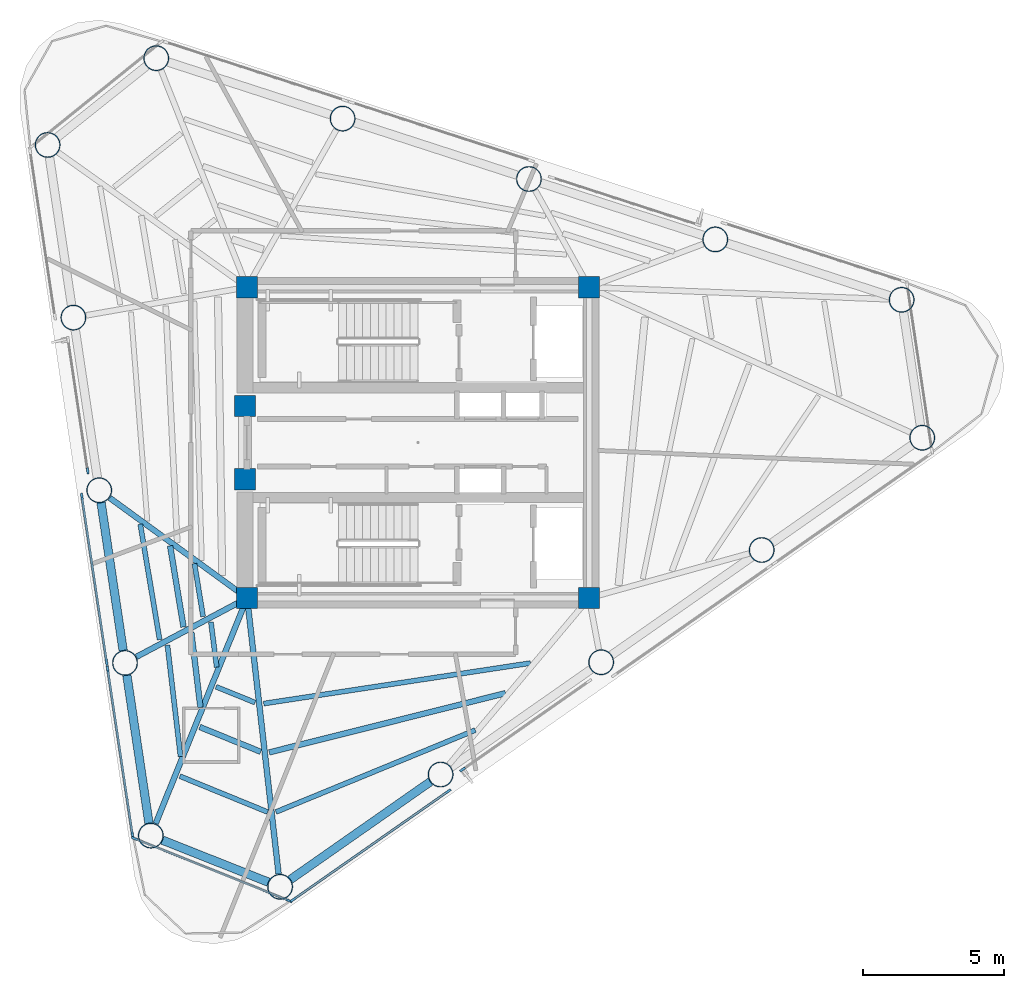
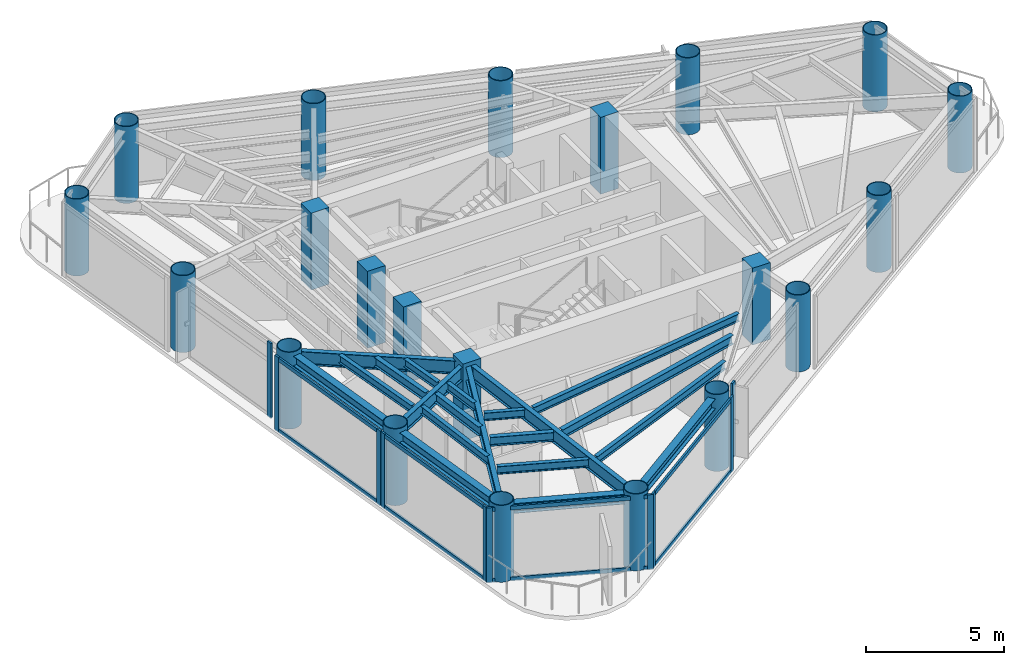
# One storey, part 1 of 9: 21 columns, 20 beams, 18 members, 6 elements without a shape of their own.
"""IFC4 building model written with IfcOpenShell, lengths in metres."""

from ifc_helpers import new_model, si_unit, direction, frame, origin, origin_2d, place, context, subcontext, project, spatial, rectangle, hollow_circle, i_section, extrude, source, transform, mapped, material, layer, layer_set, material_profile, profile_set, type_object, element, aggregate, save


model = new_model("IFC4")

# Units and contexts
model_context = context("Model", 3, precision=1e-05, world=origin(), true_north=direction((0.0, 1.0)))
body_context = subcontext(model_context, "Body", "Model", "MODEL_VIEW")
ifc_project = project(units=[si_unit("LENGTHUNIT", "METRE"), si_unit("AREAUNIT", "SQUARE_METRE"), si_unit("VOLUMEUNIT", "CUBIC_METRE"), si_unit("PLANEANGLEUNIT", "RADIAN"), si_unit("MASSUNIT", "GRAM", prefix="KILO")], contexts=[model_context])

# Site, building, storey
site_placement = place(None, origin())
site = spatial("IfcSite", under=ifc_project, at=site_placement, CompositionType="ELEMENT")
building_placement = place(site_placement, origin())
building = spatial("IfcBuilding", under=site, at=building_placement, Name="Yunling Apex Tower", CompositionType="ELEMENT")
storey_placement = place(building_placement, frame((0.0, 0.0, 274.550048828125)))
storey = spatial("IfcBuildingStorey", under=building, at=storey_placement, Name="L67", CompositionType="ELEMENT", Elevation=274.550048828125)

# Columns
ifc_material_1 = material(Name="Concrete C50", Category="concrete")
ifc_material_profile_1 = material_profile(ifc_material_1, rectangle(XDim=0.75, YDim=0.75, at=origin_2d()))
ifc_profile_set_1 = profile_set([ifc_material_profile_1], Name="Concrete C50")
column_type_1 = type_object("IfcColumnType", Name="PC-SRC-4", PredefinedType="COLUMN", material=ifc_profile_set_1)
shared_shape_1 = source(origin(), body_context, "Body", "SweptSolid", [
    extrude(rectangle(XDim=0.75, YDim=0.75, at=origin_2d()), origin(), (0.0, 0.0, 1.0), 3.39990234375),
])
for number, where, z_axis, x_axis, name in (
    (1, (-6.050048828125, -5.5, 0.0), (0.0, 0.0, 1.0), (1.0, 0.0, 0.0), "L67 Core Spine Column CC-SW"),
    (2, (6.050048828125, -5.5, 0.0), (0.0, 0.0, 1.0), (1.0, 0.0, 0.0), "L67 Core Spine Column CC-SE"),
    (3, (6.050048828125, 5.5, 0.0), (0.0, 0.0, 1.0), (1.0, 0.0, 0.0), "L67 Core Spine Column CC-NE"),
    (4, (-6.050048828125, 5.5, 0.0), (0.0, 0.0, 1.0), (1.0, 0.0, 0.0), "L67 Core Spine Column CC-NW"),
    (5, (-6.125, -1.300048828125, 0.0), (0.0, 0.0, 1.0), (1.0, 0.0, 0.0), "L67 Core West Portal Jamb Column S"),
    (6, (-6.125, 1.300048828125, 0.0), (0.0, 0.0, 1.0), (1.0, 0.0, 0.0), "L67 Core West Portal Jamb Column N"),
):
    element("IfcColumn", number, at=place(storey_placement, frame(where, z_axis=z_axis, x_axis=x_axis)), inside=storey, type_object=column_type_1, Name=name, PredefinedType="COLUMN", context=body_context, shape_type="MappedRepresentation", body=[
        mapped(shared_shape_1, transform((0.0, 0.0, 0.0), scale=1.0)),
    ])
ifc_material_2 = material(Name="Steel Q355B", Category="steel")
ifc_material_profile_2 = material_profile(ifc_material_2, hollow_circle(Radius=0.449951171875, WallThickness=0.031982421875, at=origin_2d()))
ifc_profile_set_2 = profile_set([ifc_material_profile_2], Name="Steel Q355B")
column_type_2 = type_object("IfcColumnType", Name="MC-CFST-6", PredefinedType="COLUMN", material=ifc_profile_set_2)
shared_shape_2 = source(origin(), body_context, "Body", "SweptSolid", [
    extrude(hollow_circle(Radius=0.449951171875, WallThickness=0.031982421875, at=origin_2d()), origin(), (0.0, 0.0, 1.0), 3.39990234375),
])
for number, where, z_axis, x_axis, name in (
    (7, (-4.8837890625, -15.716796875, 0.0), (0.0, 0.0, 1.0), (1.0, 0.0, 0.0), "L67 Perimeter CFST Mega-Column P01"),
    (8, (0.797119140625, -11.744873046875, 0.0), (0.0, 0.0, 1.0), (1.0, 0.0, 0.0), "L67 Perimeter CFST Mega-Column P02"),
    (9, (6.47802734375, -7.77294921875, 0.0), (0.0, 0.0, 1.0), (1.0, 0.0, 0.0), "L67 Perimeter CFST Mega-Column P03"),
    (10, (12.15869140625, -3.801025390625, 0.0), (0.0, 0.0, 1.0), (1.0, 0.0, 0.0), "L67 Perimeter CFST Mega-Column P04"),
    (11, (17.839599609375, 0.1708984375, 0.0), (0.0, 0.0, 1.0), (1.0, 0.0, 0.0), "L67 Perimeter CFST Mega-Column P05"),
    (12, (17.110107421875, 5.052490234375, 0.0), (0.0, 0.0, 1.0), (1.0, 0.0, 0.0), "L67 Perimeter CFST Mega-Column P06"),
    (13, (10.51611328125, 7.18994140625, 0.0), (0.0, 0.0, 1.0), (1.0, 0.0, 0.0), "L67 Perimeter CFST Mega-Column P07"),
    (14, (3.92236328125, 9.327392578125, 0.0), (0.0, 0.0, 1.0), (1.0, 0.0, 0.0), "L67 Perimeter CFST Mega-Column P08"),
    (15, (-2.671630859375, 11.46484375, 0.0), (0.0, 0.0, 1.0), (1.0, 0.0, 0.0), "L67 Perimeter CFST Mega-Column P09"),
    (16, (-9.265625, 13.602294921875, 0.0), (0.0, 0.0, 1.0), (1.0, 0.0, 0.0), "L67 Perimeter CFST Mega-Column P10"),
    (17, (-13.10986328125, 10.532470703125, 0.0), (0.0, 0.0, 1.0), (1.0, 0.0, 0.0), "L67 Perimeter CFST Mega-Column P11"),
    (18, (-12.19677734375, 4.423095703125, 0.0), (0.0, 0.0, 1.0), (1.0, 0.0, 0.0), "L67 Perimeter CFST Mega-Column P12"),
    (19, (-11.28369140625, -1.686279296875, 0.0), (0.0, 0.0, 1.0), (1.0, 0.0, 0.0), "L67 Perimeter CFST Mega-Column P13"),
    (20, (-10.37060546875, -7.7958984375, 0.0), (0.0, 0.0, 1.0), (1.0, 0.0, 0.0), "L67 Perimeter CFST Mega-Column P14"),
    (21, (-9.45751953125, -13.9052734375, 0.0), (0.0, 0.0, 1.0), (1.0, 0.0, 0.0), "L67 Perimeter CFST Mega-Column P15"),
):
    element("IfcColumn", number, at=place(storey_placement, frame(where, z_axis=z_axis, x_axis=x_axis)), inside=storey, type_object=column_type_2, Name=name, PredefinedType="COLUMN", context=body_context, shape_type="MappedRepresentation", body=[
        mapped(shared_shape_2, transform((0.0, 0.0, 0.0), scale=1.0)),
    ])

# Beams
ifc_material_profile_3 = material_profile(ifc_material_2, i_section(OverallWidth=0.300048828125, OverallDepth=0.43994140625, WebThickness=0.010986328125, FlangeThickness=0.01806640625, FilletRadius=0.02197265625, at=origin_2d()))
ifc_profile_set_3 = profile_set([ifc_material_profile_3], Name="Steel Q355B")
beam_type_1 = type_object("IfcBeamType", Name="BP-SPN-3", PredefinedType="SPANDREL", material=ifc_profile_set_3)
shared_shape_3 = source(origin(), body_context, "Body", "SweptSolid", [
    extrude(i_section(OverallWidth=0.300048828125, OverallDepth=0.43994140625, WebThickness=0.010986328125, FlangeThickness=0.01806640625, FilletRadius=0.02197265625, at=origin_2d()), origin(), (0.0, 0.0, 1.0), 6.043701171875),
])
beam_1_placement = place(storey_placement, frame((-4.52001953125, -15.46240234375, 3.0), z_axis=(0.819546828705, 0.5730122124, 0.0), x_axis=(-0.5730122124, 0.819546828705, 0.0)))
element("IfcBeam", 22, at=beam_1_placement, inside=storey, type_object=beam_type_1, Name="L67 Perimeter Spandrel Beam 1", PredefinedType="SPANDREL", context=body_context, shape_type="MappedRepresentation", body=[
    mapped(shared_shape_3, transform((0.0, 0.0, 0.0), scale=1.0)),
])
shared_shape_4 = source(origin(), body_context, "Body", "SweptSolid", [
    extrude(i_section(OverallWidth=0.300048828125, OverallDepth=0.43994140625, WebThickness=0.010986328125, FlangeThickness=0.01806640625, FilletRadius=0.02197265625, at=origin_2d()), origin(), (0.0, 0.0, 1.0), 5.289306640625),
])
for number, where, z_axis, x_axis, name in (
    (23, (-11.218017578125, -2.12548828125, 3.0), (0.147796471114, -0.989017797174, 0.0), (0.989017797174, 0.147796471114, 0.0), "L67 Perimeter Spandrel Beam 13"),
    (24, (-10.304931640625, -8.23486328125, 3.0), (0.147796471114, -0.989017797174, 0.0), (0.989017797174, 0.147796471114, 0.0), "L67 Perimeter Spandrel Beam 14"),
):
    element("IfcBeam", number, at=place(storey_placement, frame(where, z_axis=z_axis, x_axis=x_axis)), inside=storey, type_object=beam_type_1, Name=name, PredefinedType="SPANDREL", context=body_context, shape_type="MappedRepresentation", body=[
        mapped(shared_shape_4, transform((0.0, 0.0, 0.0), scale=1.0)),
    ])
shared_shape_5 = source(origin(), body_context, "Body", "SweptSolid", [
    extrude(i_section(OverallWidth=0.300048828125, OverallDepth=0.43994140625, WebThickness=0.010986328125, FlangeThickness=0.01806640625, FilletRadius=0.02197265625, at=origin_2d()), origin(), (0.0, 0.0, 1.0), 4.03173828125),
])
beam_2_placement = place(storey_placement, frame((-9.044921875, -14.068603515625, 3.0), z_axis=(0.92970771396, -0.368298203368, 0.0), x_axis=(0.368298203368, 0.92970771396, 0.0)))
element("IfcBeam", 25, at=beam_2_placement, inside=storey, type_object=beam_type_1, Name="L67 Perimeter Spandrel Beam 15", PredefinedType="SPANDREL", context=body_context, shape_type="MappedRepresentation", body=[
    mapped(shared_shape_5, transform((0.0, 0.0, 0.0), scale=1.0)),
])
ifc_material_profile_4 = material_profile(ifc_material_2, i_section(OverallWidth=0.199951171875, OverallDepth=0.60009765625, WebThickness=0.010986328125, FlangeThickness=0.01708984375, FilletRadius=0.02197265625, at=origin_2d()))
ifc_profile_set_4 = profile_set([ifc_material_profile_4], Name="Steel Q355B")
beam_type_2 = type_object("IfcBeamType", Name="BG-PRI-5", PredefinedType="USERDEFINED", material=ifc_profile_set_4)
shared_shape_6 = source(origin(), body_context, "Body", "SweptSolid", [
    extrude(i_section(OverallWidth=0.199951171875, OverallDepth=0.60009765625, WebThickness=0.010986328125, FlangeThickness=0.01708984375, FilletRadius=0.02197265625, at=origin_2d()), origin(), (0.0, 0.0, 1.0), 9.745361328125),
])
beam_3_placement = place(storey_placement, frame((-4.935791015625, -15.261962890625, 2.919921875), z_axis=(-0.11341163891, 0.993548086486, 0.0), x_axis=(-0.993548086486, -0.11341163891, 0.0)))
element("IfcBeam", 26, at=beam_3_placement, inside=storey, type_object=beam_type_2, Name="L67 Radial Primary Girder R01", ObjectType="GIRDER", PredefinedType="USERDEFINED", context=body_context, shape_type="MappedRepresentation", body=[
    mapped(shared_shape_6, transform((0.0, 0.0, 0.0), scale=1.0)),
])
shared_shape_7 = source(origin(), body_context, "Body", "SweptSolid", [
    extrude(i_section(OverallWidth=0.199951171875, OverallDepth=0.60009765625, WebThickness=0.010986328125, FlangeThickness=0.01708984375, FilletRadius=0.02197265625, at=origin_2d()), origin(), (0.0, 0.0, 1.0), 5.937744140625),
])
beam_4_placement = place(storey_placement, frame((-10.91357421875, -1.9560546875, 2.919921875), z_axis=(0.808193442209, -0.588917107894, 0.0), x_axis=(0.588917107894, 0.808193442209, 0.0)))
element("IfcBeam", 27, at=beam_4_placement, inside=storey, type_object=beam_type_2, Name="L67 Radial Primary Girder R13", ObjectType="GIRDER", PredefinedType="USERDEFINED", context=body_context, shape_type="MappedRepresentation", body=[
    mapped(shared_shape_7, transform((0.0, 0.0, 0.0), scale=1.0)),
])
shared_shape_8 = source(origin(), body_context, "Body", "SweptSolid", [
    extrude(i_section(OverallWidth=0.199951171875, OverallDepth=0.60009765625, WebThickness=0.010986328125, FlangeThickness=0.01708984375, FilletRadius=0.02197265625, at=origin_2d()), origin(), (0.0, 0.0, 1.0), 4.354736328125),
])
beam_5_placement = place(storey_placement, frame((-9.96630859375, -7.580810546875, 2.919921875), z_axis=(0.883098298021, 0.469188017784, 0.0), x_axis=(-0.469188017784, 0.883098298021, 0.0)))
element("IfcBeam", 28, at=beam_5_placement, inside=storey, type_object=beam_type_2, Name="L67 Radial Primary Girder R14", ObjectType="GIRDER", PredefinedType="USERDEFINED", context=body_context, shape_type="MappedRepresentation", body=[
    mapped(shared_shape_8, transform((0.0, 0.0, 0.0), scale=1.0)),
])
shared_shape_9 = source(origin(), body_context, "Body", "SweptSolid", [
    extrude(i_section(OverallWidth=0.199951171875, OverallDepth=0.60009765625, WebThickness=0.010986328125, FlangeThickness=0.01708984375, FilletRadius=0.02197265625, at=origin_2d()), origin(), (0.0, 0.0, 1.0), 8.531494140625),
])
beam_6_placement = place(storey_placement, frame((-9.285400390625, -13.480712890625, 2.919921875), z_axis=(0.375703780252, 0.926739806798, 0.0), x_axis=(-0.926739806798, 0.375703780252, 0.0)))
element("IfcBeam", 29, at=beam_6_placement, inside=storey, type_object=beam_type_2, Name="L67 Radial Primary Girder R15", ObjectType="GIRDER", PredefinedType="USERDEFINED", context=body_context, shape_type="MappedRepresentation", body=[
    mapped(shared_shape_9, transform((0.0, 0.0, 0.0), scale=1.0)),
])
ifc_material_profile_5 = material_profile(ifc_material_2, i_section(OverallWidth=0.199951171875, OverallDepth=0.39990234375, WebThickness=0.008056640625, FlangeThickness=0.012939453125, FilletRadius=0.01611328125, at=origin_2d()))
ifc_profile_set_5 = profile_set([ifc_material_profile_5], Name="Steel Q355B")
beam_type_3 = type_object("IfcBeamType", Name="BS-SEC-4", PredefinedType="BEAM", material=ifc_profile_set_5)
shared_shape_10 = source(origin(), body_context, "Body", "SweptSolid", [
    extrude(i_section(OverallWidth=0.199951171875, OverallDepth=0.39990234375, WebThickness=0.008056640625, FlangeThickness=0.012939453125, FilletRadius=0.01611328125, at=origin_2d()), origin(), (0.0, 0.0, 1.0), 8.62109375),
])
beam_7_placement = place(storey_placement, frame((-5.266845703125, -10.962646484375, 3.02001953125), z_axis=(0.96999740229, 0.243115280374, 0.0), x_axis=(-0.243115280374, 0.96999740229, 0.0)))
element("IfcBeam", 30, at=beam_7_placement, inside=storey, type_object=beam_type_3, Name="L67 Composite Floor Beam BS-1", PredefinedType="BEAM", context=body_context, shape_type="MappedRepresentation", body=[
    mapped(shared_shape_10, transform((0.0, 0.0, 0.0), scale=1.0)),
])
ifc_material_profile_6 = material_profile(ifc_material_2, i_section(OverallWidth=0.175048828125, OverallDepth=0.35009765625, WebThickness=0.007080078125, FlangeThickness=0.010986328125, FilletRadius=0.013916015625, at=origin_2d()))
ifc_profile_set_6 = profile_set([ifc_material_profile_6], Name="Steel Q355B")
beam_type_4 = type_object("IfcBeamType", Name="BJ-JST-1", PredefinedType="JOIST", material=ifc_profile_set_6)
shared_shape_11 = source(origin(), body_context, "Body", "SweptSolid", [
    extrude(i_section(OverallWidth=0.175048828125, OverallDepth=0.35009765625, WebThickness=0.007080078125, FlangeThickness=0.010986328125, FilletRadius=0.013916015625, at=origin_2d()), origin(), (0.0, 0.0, 1.0), 7.626953125),
])
beam_8_placement = place(storey_placement, frame((-5.031005859375, -13.071044921875, 3.044921875), z_axis=(0.924936429691, 0.380121823934, 0.0), x_axis=(-0.380121823934, 0.924936429691, 0.0)))
element("IfcBeam", 31, at=beam_8_placement, inside=storey, type_object=beam_type_4, Name="L67 Composite Floor Joist BJ1-1", PredefinedType="JOIST", context=body_context, shape_type="MappedRepresentation", body=[
    mapped(shared_shape_11, transform((0.0, 0.0, 0.0), scale=1.0)),
])
shared_shape_12 = source(origin(), body_context, "Body", "SweptSolid", [
    extrude(i_section(OverallWidth=0.175048828125, OverallDepth=0.35009765625, WebThickness=0.007080078125, FlangeThickness=0.010986328125, FilletRadius=0.013916015625, at=origin_2d()), origin(), (0.0, 0.0, 1.0), 9.546630859375),
])
beam_9_placement = place(storey_placement, frame((-5.462646484375, -9.23486328125, 3.044921875), z_axis=(0.988668394837, 0.150115972004, 0.0), x_axis=(-0.150115972004, 0.988668394837, 0.0)))
element("IfcBeam", 32, at=beam_9_placement, inside=storey, type_object=beam_type_4, Name="L67 Composite Floor Joist BJ3-1", PredefinedType="JOIST", context=body_context, shape_type="MappedRepresentation", body=[
    mapped(shared_shape_12, transform((0.0, 0.0, 0.0), scale=1.0)),
])
shared_shape_13 = source(origin(), body_context, "Body", "SweptSolid", [
    extrude(i_section(OverallWidth=0.199951171875, OverallDepth=0.39990234375, WebThickness=0.008056640625, FlangeThickness=0.012939453125, FilletRadius=0.01611328125, at=origin_2d()), origin(), (0.0, 0.0, 1.0), 2.910400390625),
])
beam_10_placement = place(storey_placement, frame((-8.77587890625, -3.652587890625, 3.02001953125), z_axis=(0.163405899616, -0.986558924733, 0.0), x_axis=(0.986558924733, 0.163405899616, 0.0)))
element("IfcBeam", 33, at=beam_10_placement, inside=storey, type_object=beam_type_3, Name="L67 Composite Floor Beam BS-13", PredefinedType="BEAM", context=body_context, shape_type="MappedRepresentation", body=[
    mapped(shared_shape_13, transform((0.0, 0.0, 0.0), scale=1.0)),
])
shared_shape_14 = source(origin(), body_context, "Body", "SweptSolid", [
    extrude(i_section(OverallWidth=0.175048828125, OverallDepth=0.35009765625, WebThickness=0.007080078125, FlangeThickness=0.010986328125, FilletRadius=0.013916015625, at=origin_2d()), origin(), (0.0, 0.0, 1.0), 4.14697265625),
])
beam_11_placement = place(storey_placement, frame((-9.831298828125, -2.88330078125, 3.044921875), z_axis=(0.165134037528, -0.986271133943, 0.0), x_axis=(0.986271133943, 0.165134037528, 0.0)))
element("IfcBeam", 34, at=beam_11_placement, inside=storey, type_object=beam_type_4, Name="L67 Composite Floor Joist BJ1-13", PredefinedType="JOIST", context=body_context, shape_type="MappedRepresentation", body=[
    mapped(shared_shape_14, transform((0.0, 0.0, 0.0), scale=1.0)),
])
shared_shape_15 = source(origin(), body_context, "Body", "SweptSolid", [
    extrude(i_section(OverallWidth=0.175048828125, OverallDepth=0.35009765625, WebThickness=0.007080078125, FlangeThickness=0.010986328125, FilletRadius=0.013916015625, at=origin_2d()), origin(), (0.0, 0.0, 1.0), 1.898681640625),
])
beam_12_placement = place(storey_placement, frame((-7.91259765625, -4.281982421875, 3.044921875), z_axis=(0.160602772894, -0.987019123087, 0.0), x_axis=(0.987019123087, 0.160602772894, 0.0)))
element("IfcBeam", 35, at=beam_12_placement, inside=storey, type_object=beam_type_4, Name="L67 Composite Floor Joist BJ3-13", PredefinedType="JOIST", context=body_context, shape_type="MappedRepresentation", body=[
    mapped(shared_shape_15, transform((0.0, 0.0, 0.0), scale=1.0)),
])
shared_shape_16 = source(origin(), body_context, "Body", "SweptSolid", [
    extrude(i_section(OverallWidth=0.199951171875, OverallDepth=0.39990234375, WebThickness=0.008056640625, FlangeThickness=0.012939453125, FilletRadius=0.01611328125, at=origin_2d()), origin(), (0.0, 0.0, 1.0), 2.670166015625),
])
beam_13_placement = place(storey_placement, frame((-8.024169921875, -6.718017578125, 3.02001953125), z_axis=(0.12060169382, -0.992700977862, 0.0), x_axis=(0.992700977862, 0.12060169382, 0.0)))
element("IfcBeam", 36, at=beam_13_placement, inside=storey, type_object=beam_type_3, Name="L67 Composite Floor Beam BS-14", PredefinedType="BEAM", context=body_context, shape_type="MappedRepresentation", body=[
    mapped(shared_shape_16, transform((0.0, 0.0, 0.0), scale=1.0)),
])
shared_shape_17 = source(origin(), body_context, "Body", "SweptSolid", [
    extrude(i_section(OverallWidth=0.175048828125, OverallDepth=0.35009765625, WebThickness=0.007080078125, FlangeThickness=0.010986328125, FilletRadius=0.013916015625, at=origin_2d()), origin(), (0.0, 0.0, 1.0), 3.96728515625),
])
beam_14_placement = place(storey_placement, frame((-8.87060546875, -7.167724609375, 3.044921875), z_axis=(0.116919795798, -0.993141360205, 0.0), x_axis=(0.993141360205, 0.116919795798, 0.0)))
element("IfcBeam", 37, at=beam_14_placement, inside=storey, type_object=beam_type_4, Name="L67 Composite Floor Joist BJ1-14", PredefinedType="JOIST", context=body_context, shape_type="MappedRepresentation", body=[
    mapped(shared_shape_17, transform((0.0, 0.0, 0.0), scale=1.0)),
])
shared_shape_18 = source(origin(), body_context, "Body", "SweptSolid", [
    extrude(i_section(OverallWidth=0.175048828125, OverallDepth=0.35009765625, WebThickness=0.007080078125, FlangeThickness=0.010986328125, FilletRadius=0.013916015625, at=origin_2d()), origin(), (0.0, 0.0, 1.0), 1.608642578125),
])
beam_15_placement = place(storey_placement, frame((-7.330810546875, -6.35009765625, 3.044921875), z_axis=(0.12719111786, -0.99187822818, 0.0), x_axis=(0.99187822818, 0.12719111786, 0.0)))
element("IfcBeam", 38, at=beam_15_placement, inside=storey, type_object=beam_type_4, Name="L67 Composite Floor Joist BJ3-14", PredefinedType="JOIST", context=body_context, shape_type="MappedRepresentation", body=[
    mapped(shared_shape_18, transform((0.0, 0.0, 0.0), scale=1.0)),
])
shared_shape_19 = source(origin(), body_context, "Body", "SweptSolid", [
    extrude(i_section(OverallWidth=0.199951171875, OverallDepth=0.39990234375, WebThickness=0.008056640625, FlangeThickness=0.012939453125, FilletRadius=0.01611328125, at=origin_2d()), origin(), (0.0, 0.0, 1.0), 2.3291015625),
])
beam_16_placement = place(storey_placement, frame((-7.72705078125, -10.062255859375, 3.02001953125), z_axis=(0.926020445617, -0.377473355747, 0.0), x_axis=(0.377473355747, 0.926020445617, 0.0)))
element("IfcBeam", 39, at=beam_16_placement, inside=storey, type_object=beam_type_3, Name="L67 Composite Floor Beam BS-15", PredefinedType="BEAM", context=body_context, shape_type="MappedRepresentation", body=[
    mapped(shared_shape_19, transform((0.0, 0.0, 0.0), scale=1.0)),
])
shared_shape_20 = source(origin(), body_context, "Body", "SweptSolid", [
    extrude(i_section(OverallWidth=0.175048828125, OverallDepth=0.35009765625, WebThickness=0.007080078125, FlangeThickness=0.010986328125, FilletRadius=0.013916015625, at=origin_2d()), origin(), (0.0, 0.0, 1.0), 3.354736328125),
])
beam_17_placement = place(storey_placement, frame((-8.43212890625, -11.802001953125, 3.044921875), z_axis=(0.925654732165, -0.378369286306, 0.0), x_axis=(0.378369286306, 0.925654732165, 0.0)))
element("IfcBeam", 40, at=beam_17_placement, inside=storey, type_object=beam_type_4, Name="L67 Composite Floor Joist BJ1-15", PredefinedType="JOIST", context=body_context, shape_type="MappedRepresentation", body=[
    mapped(shared_shape_20, transform((0.0, 0.0, 0.0), scale=1.0)),
])
shared_shape_21 = source(origin(), body_context, "Body", "SweptSolid", [
    extrude(i_section(OverallWidth=0.175048828125, OverallDepth=0.35009765625, WebThickness=0.007080078125, FlangeThickness=0.010986328125, FilletRadius=0.013916015625, at=origin_2d()), origin(), (0.0, 0.0, 1.0), 1.48974609375),
])
beam_18_placement = place(storey_placement, frame((-7.14990234375, -8.638916015625, 3.044921875), z_axis=(0.926714592409, -0.375765970008, 0.0), x_axis=(0.375765970008, 0.926714592409, 0.0)))
element("IfcBeam", 41, at=beam_18_placement, inside=storey, type_object=beam_type_4, Name="L67 Composite Floor Joist BJ3-15", PredefinedType="JOIST", context=body_context, shape_type="MappedRepresentation", body=[
    mapped(shared_shape_21, transform((0.0, 0.0, 0.0), scale=1.0)),
])

# Curtain wall, members
ifc_material_3 = material(Name="Bronze anodised aluminium", Category="aluminium")
ifc_layer = layer(ifc_material_3, 0.219970703125)
ifc_layer_set = layer_set([ifc_layer], Name="Bronze anodised aluminium")
curtain_wall_type = type_object("IfcCurtainWallType", Name="CW-SYS-4", PredefinedType="NOTDEFINED", material=ifc_layer_set)
curtain_wall_1_placement = place(storey_placement, origin())
curtain_wall_1 = element("IfcCurtainWall", 42, at=curtain_wall_1_placement, inside=storey, type_object=curtain_wall_type, Name="CW-L67-F1-B1", PredefinedType="NOTDEFINED")
ifc_material_profile_7 = material_profile(ifc_material_3, rectangle(XDim=0.080078125, YDim=0.219970703125, at=origin_2d()))
ifc_profile_set_7 = profile_set([ifc_material_profile_7], Name="Bronze anodised aluminium")
member_type_1 = type_object("IfcMemberType", Name="CW-MUL-4", PredefinedType="MULLION", material=ifc_profile_set_7)
shared_shape_22 = source(origin(), body_context, "Body", "SweptSolid", [
    extrude(rectangle(XDim=0.080078125, YDim=0.219970703125, at=origin_2d()), origin(), (0.0, 0.0, 1.0), 3.320068359375),
])
member_1_placement = place(storey_placement, frame((-4.418701171875, -16.172607421875, -0.050048828125), z_axis=(0.0, 0.0, 1.0), x_axis=(-0.573000403744, 0.819555084976, 0.0)))
member_1 = element("IfcMember", 43, at=member_1_placement, type_object=member_type_1, Name="CW-SYS-4 mullion 1", PredefinedType="MULLION", context=body_context, shape_type="MappedRepresentation", body=[
    mapped(shared_shape_22, transform((0.0, 0.0, 0.0), scale=1.0)),
])
member_2_placement = place(storey_placement, frame((1.0654296875, -12.338134765625, -0.050048828125), z_axis=(0.0, 0.0, 1.0), x_axis=(-0.573000403744, 0.819555084976, 0.0)))
member_2 = element("IfcMember", 44, at=member_2_placement, type_object=member_type_1, Name="CW-SYS-4 mullion 2", PredefinedType="MULLION", context=body_context, shape_type="MappedRepresentation", body=[
    mapped(shared_shape_22, transform((0.0, 0.0, 0.0), scale=1.0)),
])

# Curtain wall, member
curtain_wall_2_placement = place(storey_placement, origin())
curtain_wall_2 = element("IfcCurtainWall", 45, at=curtain_wall_2_placement, inside=storey, type_object=curtain_wall_type, Name="CW-L67-F1-B2", PredefinedType="NOTDEFINED")
member_3_placement = place(storey_placement, frame((1.575439453125, -11.56689453125, -0.050048828125), z_axis=(0.0, 0.0, 1.0), x_axis=(-0.57299879219, 0.819556211708, 0.0)))
member_3 = element("IfcMember", 46, at=member_3_placement, type_object=member_type_1, Name="CW-SYS-4 mullion 1", PredefinedType="MULLION", context=body_context, shape_type="MappedRepresentation", body=[
    mapped(shared_shape_22, transform((0.0, 0.0, 0.0), scale=1.0)),
])
aggregate(curtain_wall_2, [member_3])

curtain_wall_3_placement = place(storey_placement, origin())
curtain_wall_3 = element("IfcCurtainWall", 47, at=curtain_wall_3_placement, inside=storey, type_object=curtain_wall_type, Name="CW-L67-F3-B2", PredefinedType="NOTDEFINED")
member_4_placement = place(storey_placement, frame((-11.689697265625, -0.998779296875, -0.050048828125), z_axis=(0.0, 0.0, 1.0), x_axis=(0.989016661745, 0.147804068926, 0.0)))
member_4 = element("IfcMember", 48, at=member_4_placement, type_object=member_type_1, Name="CW-SYS-4 mullion 2", PredefinedType="MULLION", context=body_context, shape_type="MappedRepresentation", body=[
    mapped(shared_shape_22, transform((0.0, 0.0, 0.0), scale=1.0)),
])
aggregate(curtain_wall_3, [member_4])

# Curtain wall, members
curtain_wall_4_placement = place(storey_placement, origin())
curtain_wall_4 = element("IfcCurtainWall", 49, at=curtain_wall_4_placement, inside=storey, type_object=curtain_wall_type, Name="CW-L67-F3-B3", PredefinedType="NOTDEFINED")
member_5_placement = place(storey_placement, frame((-11.89892578125, -1.899658203125, -0.050048828125), z_axis=(0.0, 0.0, 1.0), x_axis=(0.989016174309, 0.147807330522, 0.0)))
member_5 = element("IfcMember", 50, at=member_5_placement, type_object=member_type_1, Name="CW-SYS-4 mullion 1", PredefinedType="MULLION", context=body_context, shape_type="MappedRepresentation", body=[
    mapped(shared_shape_22, transform((0.0, 0.0, 0.0), scale=1.0)),
])
member_6_placement = place(storey_placement, frame((-11.021240234375, -7.771728515625, -0.050048828125), z_axis=(0.0, 0.0, 1.0), x_axis=(0.989016174309, 0.147807330522, 0.0)))
member_6 = element("IfcMember", 51, at=member_6_placement, type_object=member_type_1, Name="CW-SYS-4 mullion 2", PredefinedType="MULLION", context=body_context, shape_type="MappedRepresentation", body=[
    mapped(shared_shape_22, transform((0.0, 0.0, 0.0), scale=1.0)),
])

curtain_wall_5_placement = place(storey_placement, origin())
curtain_wall_5 = element("IfcCurtainWall", 52, at=curtain_wall_5_placement, inside=storey, type_object=curtain_wall_type, Name="CW-L67-F3-B4", PredefinedType="NOTDEFINED")
member_7_placement = place(storey_placement, frame((-10.98583984375, -8.009033203125, -0.050048828125), z_axis=(0.0, 0.0, 1.0), x_axis=(0.989018603576, 0.147791074763, 0.0)))
member_7 = element("IfcMember", 53, at=member_7_placement, type_object=member_type_1, Name="CW-SYS-4 mullion 1", PredefinedType="MULLION", context=body_context, shape_type="MappedRepresentation", body=[
    mapped(shared_shape_22, transform((0.0, 0.0, 0.0), scale=1.0)),
])
member_8_placement = place(storey_placement, frame((-10.1083984375, -13.881103515625, -0.050048828125), z_axis=(0.0, 0.0, 1.0), x_axis=(0.989018603576, 0.147791074763, 0.0)))
member_8 = element("IfcMember", 54, at=member_8_placement, type_object=member_type_1, Name="CW-SYS-4 mullion 2", PredefinedType="MULLION", context=body_context, shape_type="MappedRepresentation", body=[
    mapped(shared_shape_22, transform((0.0, 0.0, 0.0), scale=1.0)),
])

curtain_wall_6_placement = place(storey_placement, origin())
curtain_wall_6 = element("IfcCurtainWall", 55, at=curtain_wall_6_placement, inside=storey, type_object=curtain_wall_type, Name="CW-L67-CRN3", PredefinedType="NOTDEFINED")
member_9_placement = place(storey_placement, frame((-10.03369140625, -14.01171875, -0.050048828125), z_axis=(0.0, 0.0, 1.0), x_axis=(0.373009384078, 0.927827569859, 0.0)))
member_9 = element("IfcMember", 56, at=member_9_placement, type_object=member_type_1, Name="CW-SYS-4 mullion 1", PredefinedType="MULLION", context=body_context, shape_type="MappedRepresentation", body=[
    mapped(shared_shape_22, transform((0.0, 0.0, 0.0), scale=1.0)),
])
member_10_placement = place(storey_placement, frame((-4.565673828125, -16.2099609375, -0.050048828125), z_axis=(0.0, 0.0, 1.0), x_axis=(0.373009384078, 0.927827569859, 0.0)))
member_10 = element("IfcMember", 57, at=member_10_placement, type_object=member_type_1, Name="CW-SYS-4 mullion 2", PredefinedType="MULLION", context=body_context, shape_type="MappedRepresentation", body=[
    mapped(shared_shape_22, transform((0.0, 0.0, 0.0), scale=1.0)),
])

# Member
ifc_material_profile_8 = material_profile(ifc_material_3, rectangle(XDim=0.080078125, YDim=0.169921875, at=origin_2d()))
ifc_profile_set_8 = profile_set([ifc_material_profile_8], Name="Bronze anodised aluminium")
member_type_2 = type_object("IfcMemberType", Name="CW-TRN-4", PredefinedType="USERDEFINED", material=ifc_profile_set_8)
shared_shape_23 = source(origin(), body_context, "Body", "SweptSolid", [
    extrude(rectangle(XDim=0.080078125, YDim=0.169921875, at=origin_2d()), origin(), (0.0, 0.0, 1.0), 6.61962890625),
])
member_11_placement = place(storey_placement, frame((-4.389404296875, -16.15185546875, 0.0400390625), z_axis=(0.819567916002, 0.572982051255, 0.0), x_axis=(-0.572982051255, 0.819567916002, 0.0)))
member_11 = element("IfcMember", 58, at=member_11_placement, type_object=member_type_2, Name="CW-SYS-4 transom 1.1", ObjectType="TRANSOM", PredefinedType="USERDEFINED", context=body_context, shape_type="MappedRepresentation", body=[
    mapped(shared_shape_23, transform((0.0, 0.0, 0.0), scale=1.0)),
])

member_12_placement = place(storey_placement, frame((-4.389404296875, -16.15185546875, 3.179931640625), z_axis=(0.819567916002, 0.572982051255, 0.0), x_axis=(-0.572982051255, 0.819567916002, 0.0)))
member_12 = element("IfcMember", 59, at=member_12_placement, type_object=member_type_2, Name="CW-SYS-4 transom 1.2", ObjectType="TRANSOM", PredefinedType="USERDEFINED", context=body_context, shape_type="MappedRepresentation", body=[
    mapped(shared_shape_23, transform((0.0, 0.0, 0.0), scale=1.0)),
])

aggregate(curtain_wall_1, [member_1, member_2, member_11, member_12])

shared_shape_24 = source(origin(), body_context, "Body", "SweptSolid", [
    extrude(rectangle(XDim=0.080078125, YDim=0.169921875, at=origin_2d()), origin(), (0.0, 0.0, 1.0), 5.8212890625),
])
member_13_placement = place(storey_placement, frame((-10.000244140625, -14.025146484375, 0.0400390625), z_axis=(0.927827385224, -0.373009843339, 0.0), x_axis=(0.373009843339, 0.927827385224, 0.0)))
member_13 = element("IfcMember", 60, at=member_13_placement, type_object=member_type_2, Name="CW-SYS-4 transom 1.1", ObjectType="TRANSOM", PredefinedType="USERDEFINED", context=body_context, shape_type="MappedRepresentation", body=[
    mapped(shared_shape_24, transform((0.0, 0.0, 0.0), scale=1.0)),
])

member_14_placement = place(storey_placement, frame((-10.000244140625, -14.025146484375, 3.179931640625), z_axis=(0.927827385224, -0.373009843339, 0.0), x_axis=(0.373009843339, 0.927827385224, 0.0)))
member_14 = element("IfcMember", 61, at=member_14_placement, type_object=member_type_2, Name="CW-SYS-4 transom 1.2", ObjectType="TRANSOM", PredefinedType="USERDEFINED", context=body_context, shape_type="MappedRepresentation", body=[
    mapped(shared_shape_24, transform((0.0, 0.0, 0.0), scale=1.0)),
])

aggregate(curtain_wall_6, [member_9, member_10, member_13, member_14])

shared_shape_25 = source(origin(), body_context, "Body", "SweptSolid", [
    extrude(rectangle(XDim=0.080078125, YDim=0.169921875, at=origin_2d()), origin(), (0.0, 0.0, 1.0), 5.865234375),
])
member_15_placement = place(storey_placement, frame((-11.8935546875, -1.935302734375, 0.0400390625), z_axis=(0.147811211092, -0.989015594354, 0.0), x_axis=(0.989015594354, 0.147811211092, 0.0)))
member_15 = element("IfcMember", 62, at=member_15_placement, type_object=member_type_2, Name="CW-SYS-4 transom 1.1", ObjectType="TRANSOM", PredefinedType="USERDEFINED", context=body_context, shape_type="MappedRepresentation", body=[
    mapped(shared_shape_25, transform((0.0, 0.0, 0.0), scale=1.0)),
])

member_16_placement = place(storey_placement, frame((-11.8935546875, -1.935302734375, 3.179931640625), z_axis=(0.147811211092, -0.989015594354, 0.0), x_axis=(0.989015594354, 0.147811211092, 0.0)))
member_16 = element("IfcMember", 63, at=member_16_placement, type_object=member_type_2, Name="CW-SYS-4 transom 1.2", ObjectType="TRANSOM", PredefinedType="USERDEFINED", context=body_context, shape_type="MappedRepresentation", body=[
    mapped(shared_shape_25, transform((0.0, 0.0, 0.0), scale=1.0)),
])

aggregate(curtain_wall_4, [member_5, member_6, member_15, member_16])

member_17_placement = place(storey_placement, frame((-10.98046875, -8.044677734375, 0.0400390625), z_axis=(0.147811211092, -0.989015594354, 0.0), x_axis=(0.989015594354, 0.147811211092, 0.0)))
member_17 = element("IfcMember", 64, at=member_17_placement, type_object=member_type_2, Name="CW-SYS-4 transom 1.1", ObjectType="TRANSOM", PredefinedType="USERDEFINED", context=body_context, shape_type="MappedRepresentation", body=[
    mapped(shared_shape_25, transform((0.0, 0.0, 0.0), scale=1.0)),
])

member_18_placement = place(storey_placement, frame((-10.98046875, -8.044677734375, 3.179931640625), z_axis=(0.147811211092, -0.989015594354, 0.0), x_axis=(0.989015594354, 0.147811211092, 0.0)))
member_18 = element("IfcMember", 65, at=member_18_placement, type_object=member_type_2, Name="CW-SYS-4 transom 1.2", ObjectType="TRANSOM", PredefinedType="USERDEFINED", context=body_context, shape_type="MappedRepresentation", body=[
    mapped(shared_shape_25, transform((0.0, 0.0, 0.0), scale=1.0)),
])

aggregate(curtain_wall_5, [member_7, member_8, member_17, member_18])

save(model, "model.ifc")
